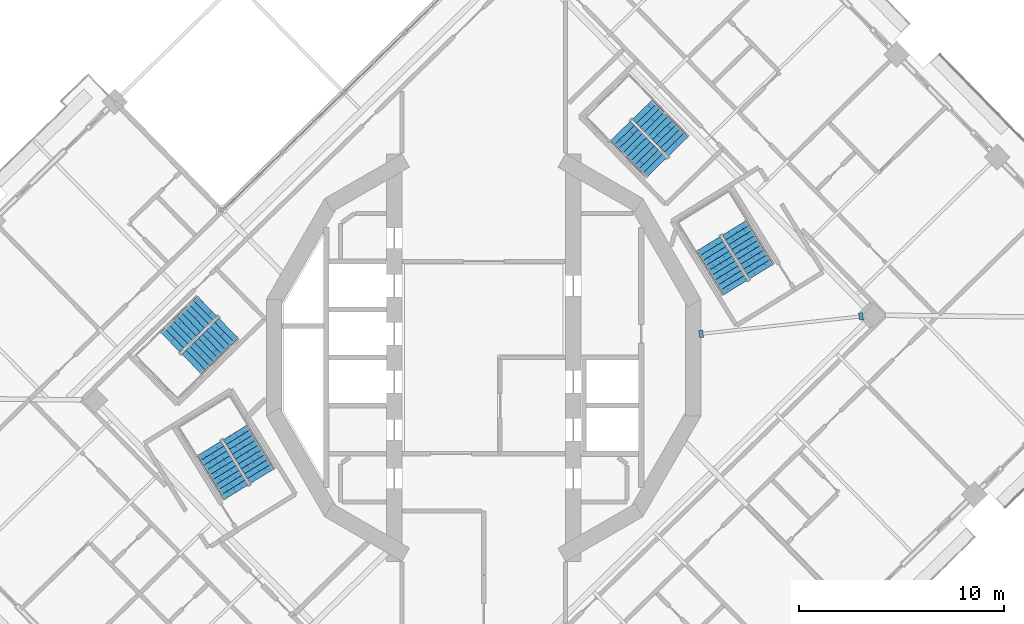
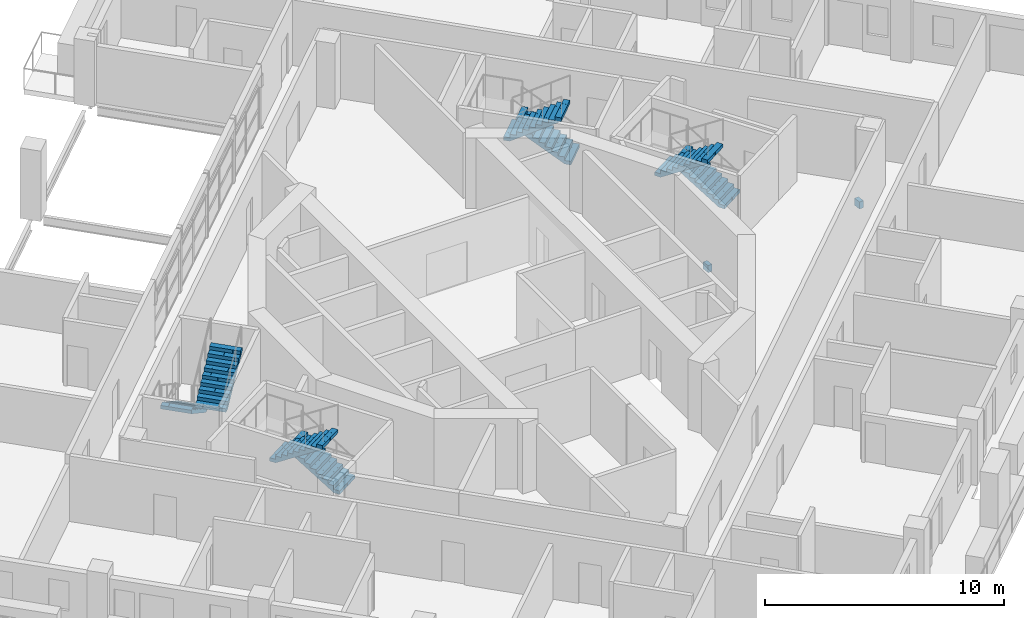
# One storey, part 12 of 19: 8 stair flights, 2 discrete accessories, 4 elements without a shape of their own.
"""IFC4 building model written with IfcOpenShell, lengths in metres."""

from ifc_helpers import new_model, si_unit, direction, frame, origin, place, context, subcontext, project, spatial, polyline, outline, extrude, material, layer, layer_set, type_object, element, aggregate, save


model = new_model("IFC4")

# Units and contexts
model_context = context("Model", 3, precision=1e-05, world=origin(), true_north=direction((0.0, 1.0)))
body_context = subcontext(model_context, "Body", "Model", "MODEL_VIEW")
ifc_project = project(units=[si_unit("LENGTHUNIT", "METRE"), si_unit("AREAUNIT", "SQUARE_METRE"), si_unit("VOLUMEUNIT", "CUBIC_METRE"), si_unit("PLANEANGLEUNIT", "RADIAN"), si_unit("MASSUNIT", "GRAM", prefix="KILO")], contexts=[model_context])

# Site, building, storey
site_placement = place(None, origin())
site = spatial("IfcSite", under=ifc_project, at=site_placement, CompositionType="ELEMENT")
building_placement = place(site_placement, origin())
building = spatial("IfcBuilding", under=site, at=building_placement, Name="Cantera Rosa Tower", CompositionType="ELEMENT")
storey_placement = place(building_placement, frame((0.0, 0.0, 223.39990234375)))
storey = spatial("IfcBuildingStorey", under=building, at=storey_placement, Name="L48", CompositionType="ELEMENT", Elevation=223.39990234375)

# Stair, stair flights
ifc_material_1 = material(Name="Concrete C35/45", Category="concrete")
stair_type = type_object("IfcStairType", Name="EXIT STAIR 1350 DOGLEG", PredefinedType="HALF_TURN_STAIR", material=ifc_material_1)
stair_1_placement = place(storey_placement, origin())
stair_1 = element("IfcStair", 1, at=stair_1_placement, inside=storey, type_object=stair_type, Name="L48 ST-41", PredefinedType="HALF_TURN_STAIR")
ifc_material_2 = material(Name="Concrete C35/45", Category="concrete")
stair_flight_type = type_object("IfcStairFlightType", Name="STAIR FLIGHT 1350 R20x180", PredefinedType="STRAIGHT", material=ifc_material_2)
stair_flight_1_placement = place(storey_placement, frame((13.5732421875, 4.2021484375, 0.0), z_axis=(0.0, 0.0, 1.0), x_axis=(-0.524976585286, 0.851116669383, 0.0)))
stair_flight_1 = element("IfcStairFlight", 2, at=stair_flight_1_placement, type_object=stair_flight_type, Name="ST-41 flight 1", NumberOfRisers=10, NumberOfTreads=9, PredefinedType="STRAIGHT", RiserHeight=0.18, TreadLength=0.28, context=body_context, shape_type="SweptSolid", body=[
    extrude(outline(polyline([(0.0, 0.0), (0.0, 0.179931640625), (0.280029296875, 0.179931640625), (0.280029296875, 0.360107421875), (0.56005859375, 0.360107421875), (0.56005859375, 0.5400390625), (0.840087890625, 0.5400390625), (0.840087890625, 0.719970703125), (1.1201171875, 0.719970703125), (1.1201171875, 0.89990234375), (1.39990234375, 0.89990234375), (1.39990234375, 1.080078125), (1.679931640625, 1.080078125), (1.679931640625, 1.260009765625), (1.9599609375, 1.260009765625), (1.9599609375, 1.43994140625), (2.239990234375, 1.43994140625), (2.239990234375, 1.6201171875), (2.52001953125, 1.6201171875), (2.52001953125, 1.800048828125), (2.52001953125, 1.44189453125), (0.277099609375, 0.0), (0.0, 0.0)])), frame((0.0, 0.675048828125, 0.0), z_axis=(0.0, -1.0, 0.0), x_axis=(1.0, 0.0, 0.0)), (0.0, 0.0, 1.0), 0.3359375),
    extrude(outline(polyline([(0.0, 0.0), (0.0, 0.179931640625), (0.280029296875, 0.179931640625), (0.280029296875, 0.360107421875), (0.56005859375, 0.360107421875), (0.56005859375, 0.5400390625), (0.840087890625, 0.5400390625), (0.840087890625, 0.719970703125), (1.1201171875, 0.719970703125), (1.1201171875, 0.89990234375), (1.39990234375, 0.89990234375), (1.39990234375, 1.080078125), (1.679931640625, 1.080078125), (1.679931640625, 1.260009765625), (1.9599609375, 1.260009765625), (1.9599609375, 1.43994140625), (2.239990234375, 1.43994140625), (2.239990234375, 1.6201171875), (2.52001953125, 1.6201171875), (2.52001953125, 1.800048828125), (2.52001953125, 1.44189453125), (0.277099609375, 0.0), (0.0, 0.0)])), frame((0.0, 0.337158203125, 0.0), z_axis=(0.0, -1.0, 0.0), x_axis=(1.0, 0.0, 0.0)), (0.0, 0.0, 1.0), 0.3359375),
    extrude(outline(polyline([(0.0, 0.0), (0.0, 0.179931640625), (0.280029296875, 0.179931640625), (0.280029296875, 0.360107421875), (0.56005859375, 0.360107421875), (0.56005859375, 0.5400390625), (0.840087890625, 0.5400390625), (0.840087890625, 0.719970703125), (1.1201171875, 0.719970703125), (1.1201171875, 0.89990234375), (1.39990234375, 0.89990234375), (1.39990234375, 1.080078125), (1.679931640625, 1.080078125), (1.679931640625, 1.260009765625), (1.9599609375, 1.260009765625), (1.9599609375, 1.43994140625), (2.239990234375, 1.43994140625), (2.239990234375, 1.6201171875), (2.52001953125, 1.6201171875), (2.52001953125, 1.800048828125), (2.52001953125, 1.44189453125), (0.277099609375, 0.0), (0.0, 0.0)])), frame((0.0, -0.000732421875, 0.0), z_axis=(0.0, -1.0, 0.0), x_axis=(1.0, 0.0, 0.0)), (0.0, 0.0, 1.0), 0.3359375),
    extrude(outline(polyline([(0.0, 0.0), (0.0, 0.179931640625), (0.280029296875, 0.179931640625), (0.280029296875, 0.360107421875), (0.56005859375, 0.360107421875), (0.56005859375, 0.5400390625), (0.840087890625, 0.5400390625), (0.840087890625, 0.719970703125), (1.1201171875, 0.719970703125), (1.1201171875, 0.89990234375), (1.39990234375, 0.89990234375), (1.39990234375, 1.080078125), (1.679931640625, 1.080078125), (1.679931640625, 1.260009765625), (1.9599609375, 1.260009765625), (1.9599609375, 1.43994140625), (2.239990234375, 1.43994140625), (2.239990234375, 1.6201171875), (2.52001953125, 1.6201171875), (2.52001953125, 1.800048828125), (2.52001953125, 1.44189453125), (0.277099609375, 0.0), (0.0, 0.0)])), frame((0.0, -0.338623046875, 0.0), z_axis=(0.0, -1.0, 0.0), x_axis=(1.0, 0.0, 0.0)), (0.0, 0.0, 1.0), 0.3359375),
])
stair_flight_2_placement = place(storey_placement, frame((10.9736328125, 5.5595703125, 1.800048828125), z_axis=(0.0, 0.0, 1.0), x_axis=(0.524976585286, -0.851116669383, 0.0)))
stair_flight_2 = element("IfcStairFlight", 3, at=stair_flight_2_placement, type_object=stair_flight_type, Name="ST-41 flight 2", NumberOfRisers=10, NumberOfTreads=9, PredefinedType="STRAIGHT", RiserHeight=0.18, TreadLength=0.28, context=body_context, shape_type="SweptSolid", body=[
    extrude(outline(polyline([(0.0, 0.0), (0.0, 0.179931640625), (0.280029296875, 0.179931640625), (0.280029296875, 0.360107421875), (0.56005859375, 0.360107421875), (0.56005859375, 0.5400390625), (0.840087890625, 0.5400390625), (0.840087890625, 0.719970703125), (1.1201171875, 0.719970703125), (1.1201171875, 0.89990234375), (1.39990234375, 0.89990234375), (1.39990234375, 1.080078125), (1.679931640625, 1.080078125), (1.679931640625, 1.260009765625), (1.9599609375, 1.260009765625), (1.9599609375, 1.43994140625), (2.239990234375, 1.43994140625), (2.239990234375, 1.6201171875), (2.52001953125, 1.6201171875), (2.52001953125, 1.800048828125), (2.52001953125, 1.44189453125), (0.277099609375, 0.0), (0.0, 0.0)])), frame((0.0, 0.675048828125, 0.0), z_axis=(0.0, -1.0, 0.0), x_axis=(1.0, 0.0, 0.0)), (0.0, 0.0, 1.0), 0.3359375),
    extrude(outline(polyline([(0.0, 0.0), (0.0, 0.179931640625), (0.280029296875, 0.179931640625), (0.280029296875, 0.360107421875), (0.56005859375, 0.360107421875), (0.56005859375, 0.5400390625), (0.840087890625, 0.5400390625), (0.840087890625, 0.719970703125), (1.1201171875, 0.719970703125), (1.1201171875, 0.89990234375), (1.39990234375, 0.89990234375), (1.39990234375, 1.080078125), (1.679931640625, 1.080078125), (1.679931640625, 1.260009765625), (1.9599609375, 1.260009765625), (1.9599609375, 1.43994140625), (2.239990234375, 1.43994140625), (2.239990234375, 1.6201171875), (2.52001953125, 1.6201171875), (2.52001953125, 1.800048828125), (2.52001953125, 1.44189453125), (0.277099609375, 0.0), (0.0, 0.0)])), frame((0.0, 0.337158203125, 0.0), z_axis=(0.0, -1.0, 0.0), x_axis=(1.0, 0.0, 0.0)), (0.0, 0.0, 1.0), 0.3359375),
    extrude(outline(polyline([(0.0, 0.0), (0.0, 0.179931640625), (0.280029296875, 0.179931640625), (0.280029296875, 0.360107421875), (0.56005859375, 0.360107421875), (0.56005859375, 0.5400390625), (0.840087890625, 0.5400390625), (0.840087890625, 0.719970703125), (1.1201171875, 0.719970703125), (1.1201171875, 0.89990234375), (1.39990234375, 0.89990234375), (1.39990234375, 1.080078125), (1.679931640625, 1.080078125), (1.679931640625, 1.260009765625), (1.9599609375, 1.260009765625), (1.9599609375, 1.43994140625), (2.239990234375, 1.43994140625), (2.239990234375, 1.6201171875), (2.52001953125, 1.6201171875), (2.52001953125, 1.800048828125), (2.52001953125, 1.44189453125), (0.277099609375, 0.0), (0.0, 0.0)])), frame((0.0, -0.000732421875, 0.0), z_axis=(0.0, -1.0, 0.0), x_axis=(1.0, 0.0, 0.0)), (0.0, 0.0, 1.0), 0.3359375),
    extrude(outline(polyline([(0.0, 0.0), (0.0, 0.179931640625), (0.280029296875, 0.179931640625), (0.280029296875, 0.360107421875), (0.56005859375, 0.360107421875), (0.56005859375, 0.5400390625), (0.840087890625, 0.5400390625), (0.840087890625, 0.719970703125), (1.1201171875, 0.719970703125), (1.1201171875, 0.89990234375), (1.39990234375, 0.89990234375), (1.39990234375, 1.080078125), (1.679931640625, 1.080078125), (1.679931640625, 1.260009765625), (1.9599609375, 1.260009765625), (1.9599609375, 1.43994140625), (2.239990234375, 1.43994140625), (2.239990234375, 1.6201171875), (2.52001953125, 1.6201171875), (2.52001953125, 1.800048828125), (2.52001953125, 1.44189453125), (0.277099609375, 0.0), (0.0, 0.0)])), frame((0.0, -0.338623046875, 0.0), z_axis=(0.0, -1.0, 0.0), x_axis=(1.0, 0.0, 0.0)), (0.0, 0.0, 1.0), 0.3359375),
])
aggregate(stair_1, [stair_flight_1, stair_flight_2])

stair_2_placement = place(storey_placement, origin())
stair_2 = element("IfcStair", 4, at=stair_2_placement, inside=storey, type_object=stair_type, Name="L48 ST-42", PredefinedType="HALF_TURN_STAIR")
stair_flight_3_placement = place(storey_placement, frame((9.514892578125, 10.32275390625, 0.0), z_axis=(0.0, 0.0, 1.0), x_axis=(-0.698831536207, 0.715286295132, 0.0)))
stair_flight_3 = element("IfcStairFlight", 5, at=stair_flight_3_placement, type_object=stair_flight_type, Name="ST-42 flight 1", NumberOfRisers=10, NumberOfTreads=9, PredefinedType="STRAIGHT", RiserHeight=0.18, TreadLength=0.28, context=body_context, shape_type="SweptSolid", body=[
    extrude(outline(polyline([(0.0, 0.0), (0.0, 0.179931640625), (0.280029296875, 0.179931640625), (0.280029296875, 0.360107421875), (0.56005859375, 0.360107421875), (0.56005859375, 0.5400390625), (0.840087890625, 0.5400390625), (0.840087890625, 0.719970703125), (1.1201171875, 0.719970703125), (1.1201171875, 0.89990234375), (1.39990234375, 0.89990234375), (1.39990234375, 1.080078125), (1.679931640625, 1.080078125), (1.679931640625, 1.260009765625), (1.9599609375, 1.260009765625), (1.9599609375, 1.43994140625), (2.239990234375, 1.43994140625), (2.239990234375, 1.6201171875), (2.52001953125, 1.6201171875), (2.52001953125, 1.800048828125), (2.52001953125, 1.44189453125), (0.277099609375, 0.0), (0.0, 0.0)])), frame((0.0, 0.675048828125, 0.0), z_axis=(0.0, -1.0, 0.0), x_axis=(1.0, 0.0, 0.0)), (0.0, 0.0, 1.0), 0.3359375),
    extrude(outline(polyline([(0.0, 0.0), (0.0, 0.179931640625), (0.280029296875, 0.179931640625), (0.280029296875, 0.360107421875), (0.56005859375, 0.360107421875), (0.56005859375, 0.5400390625), (0.840087890625, 0.5400390625), (0.840087890625, 0.719970703125), (1.1201171875, 0.719970703125), (1.1201171875, 0.89990234375), (1.39990234375, 0.89990234375), (1.39990234375, 1.080078125), (1.679931640625, 1.080078125), (1.679931640625, 1.260009765625), (1.9599609375, 1.260009765625), (1.9599609375, 1.43994140625), (2.239990234375, 1.43994140625), (2.239990234375, 1.6201171875), (2.52001953125, 1.6201171875), (2.52001953125, 1.800048828125), (2.52001953125, 1.44189453125), (0.277099609375, 0.0), (0.0, 0.0)])), frame((0.0, 0.337158203125, 0.0), z_axis=(0.0, -1.0, 0.0), x_axis=(1.0, 0.0, 0.0)), (0.0, 0.0, 1.0), 0.3359375),
    extrude(outline(polyline([(0.0, 0.0), (0.0, 0.179931640625), (0.280029296875, 0.179931640625), (0.280029296875, 0.360107421875), (0.56005859375, 0.360107421875), (0.56005859375, 0.5400390625), (0.840087890625, 0.5400390625), (0.840087890625, 0.719970703125), (1.1201171875, 0.719970703125), (1.1201171875, 0.89990234375), (1.39990234375, 0.89990234375), (1.39990234375, 1.080078125), (1.679931640625, 1.080078125), (1.679931640625, 1.260009765625), (1.9599609375, 1.260009765625), (1.9599609375, 1.43994140625), (2.239990234375, 1.43994140625), (2.239990234375, 1.6201171875), (2.52001953125, 1.6201171875), (2.52001953125, 1.800048828125), (2.52001953125, 1.44189453125), (0.277099609375, 0.0), (0.0, 0.0)])), frame((0.0, -0.000732421875, 0.0), z_axis=(0.0, -1.0, 0.0), x_axis=(1.0, 0.0, 0.0)), (0.0, 0.0, 1.0), 0.3359375),
    extrude(outline(polyline([(0.0, 0.0), (0.0, 0.179931640625), (0.280029296875, 0.179931640625), (0.280029296875, 0.360107421875), (0.56005859375, 0.360107421875), (0.56005859375, 0.5400390625), (0.840087890625, 0.5400390625), (0.840087890625, 0.719970703125), (1.1201171875, 0.719970703125), (1.1201171875, 0.89990234375), (1.39990234375, 0.89990234375), (1.39990234375, 1.080078125), (1.679931640625, 1.080078125), (1.679931640625, 1.260009765625), (1.9599609375, 1.260009765625), (1.9599609375, 1.43994140625), (2.239990234375, 1.43994140625), (2.239990234375, 1.6201171875), (2.52001953125, 1.6201171875), (2.52001953125, 1.800048828125), (2.52001953125, 1.44189453125), (0.277099609375, 0.0), (0.0, 0.0)])), frame((0.0, -0.338623046875, 0.0), z_axis=(0.0, -1.0, 0.0), x_axis=(1.0, 0.0, 0.0)), (0.0, 0.0, 1.0), 0.3359375),
])
stair_flight_4_placement = place(storey_placement, frame((6.680908203125, 11.076904296875, 1.800048828125), z_axis=(0.0, 0.0, 1.0), x_axis=(0.698831536207, -0.715286295132, 0.0)))
stair_flight_4 = element("IfcStairFlight", 6, at=stair_flight_4_placement, type_object=stair_flight_type, Name="ST-42 flight 2", NumberOfRisers=10, NumberOfTreads=9, PredefinedType="STRAIGHT", RiserHeight=0.18, TreadLength=0.28, context=body_context, shape_type="SweptSolid", body=[
    extrude(outline(polyline([(0.0, 0.0), (0.0, 0.179931640625), (0.280029296875, 0.179931640625), (0.280029296875, 0.360107421875), (0.56005859375, 0.360107421875), (0.56005859375, 0.5400390625), (0.840087890625, 0.5400390625), (0.840087890625, 0.719970703125), (1.1201171875, 0.719970703125), (1.1201171875, 0.89990234375), (1.39990234375, 0.89990234375), (1.39990234375, 1.080078125), (1.679931640625, 1.080078125), (1.679931640625, 1.260009765625), (1.9599609375, 1.260009765625), (1.9599609375, 1.43994140625), (2.239990234375, 1.43994140625), (2.239990234375, 1.6201171875), (2.52001953125, 1.6201171875), (2.52001953125, 1.800048828125), (2.52001953125, 1.44189453125), (0.277099609375, 0.0), (0.0, 0.0)])), frame((0.0, 0.675048828125, 0.0), z_axis=(0.0, -1.0, 0.0), x_axis=(1.0, 0.0, 0.0)), (0.0, 0.0, 1.0), 0.3359375),
    extrude(outline(polyline([(0.0, 0.0), (0.0, 0.179931640625), (0.280029296875, 0.179931640625), (0.280029296875, 0.360107421875), (0.56005859375, 0.360107421875), (0.56005859375, 0.5400390625), (0.840087890625, 0.5400390625), (0.840087890625, 0.719970703125), (1.1201171875, 0.719970703125), (1.1201171875, 0.89990234375), (1.39990234375, 0.89990234375), (1.39990234375, 1.080078125), (1.679931640625, 1.080078125), (1.679931640625, 1.260009765625), (1.9599609375, 1.260009765625), (1.9599609375, 1.43994140625), (2.239990234375, 1.43994140625), (2.239990234375, 1.6201171875), (2.52001953125, 1.6201171875), (2.52001953125, 1.800048828125), (2.52001953125, 1.44189453125), (0.277099609375, 0.0), (0.0, 0.0)])), frame((0.0, 0.337158203125, 0.0), z_axis=(0.0, -1.0, 0.0), x_axis=(1.0, 0.0, 0.0)), (0.0, 0.0, 1.0), 0.3359375),
    extrude(outline(polyline([(0.0, 0.0), (0.0, 0.179931640625), (0.280029296875, 0.179931640625), (0.280029296875, 0.360107421875), (0.56005859375, 0.360107421875), (0.56005859375, 0.5400390625), (0.840087890625, 0.5400390625), (0.840087890625, 0.719970703125), (1.1201171875, 0.719970703125), (1.1201171875, 0.89990234375), (1.39990234375, 0.89990234375), (1.39990234375, 1.080078125), (1.679931640625, 1.080078125), (1.679931640625, 1.260009765625), (1.9599609375, 1.260009765625), (1.9599609375, 1.43994140625), (2.239990234375, 1.43994140625), (2.239990234375, 1.6201171875), (2.52001953125, 1.6201171875), (2.52001953125, 1.800048828125), (2.52001953125, 1.44189453125), (0.277099609375, 0.0), (0.0, 0.0)])), frame((0.0, -0.000732421875, 0.0), z_axis=(0.0, -1.0, 0.0), x_axis=(1.0, 0.0, 0.0)), (0.0, 0.0, 1.0), 0.3359375),
    extrude(outline(polyline([(0.0, 0.0), (0.0, 0.179931640625), (0.280029296875, 0.179931640625), (0.280029296875, 0.360107421875), (0.56005859375, 0.360107421875), (0.56005859375, 0.5400390625), (0.840087890625, 0.5400390625), (0.840087890625, 0.719970703125), (1.1201171875, 0.719970703125), (1.1201171875, 0.89990234375), (1.39990234375, 0.89990234375), (1.39990234375, 1.080078125), (1.679931640625, 1.080078125), (1.679931640625, 1.260009765625), (1.9599609375, 1.260009765625), (1.9599609375, 1.43994140625), (2.239990234375, 1.43994140625), (2.239990234375, 1.6201171875), (2.52001953125, 1.6201171875), (2.52001953125, 1.800048828125), (2.52001953125, 1.44189453125), (0.277099609375, 0.0), (0.0, 0.0)])), frame((0.0, -0.338623046875, 0.0), z_axis=(0.0, -1.0, 0.0), x_axis=(1.0, 0.0, 0.0)), (0.0, 0.0, 1.0), 0.3359375),
])
aggregate(stair_2, [stair_flight_3, stair_flight_4])

stair_3_placement = place(storey_placement, origin())
stair_3 = element("IfcStair", 7, at=stair_3_placement, inside=storey, type_object=stair_type, Name="L48 ST-43", PredefinedType="HALF_TURN_STAIR")
stair_flight_5_placement = place(storey_placement, frame((-13.522705078125, 2.514892578125, 0.0), z_axis=(0.0, 0.0, 1.0), x_axis=(-0.715286295132, -0.698831536207, 0.0)))
stair_flight_5 = element("IfcStairFlight", 8, at=stair_flight_5_placement, type_object=stair_flight_type, Name="ST-43 flight 1", NumberOfRisers=10, NumberOfTreads=9, PredefinedType="STRAIGHT", RiserHeight=0.18, TreadLength=0.28, context=body_context, shape_type="SweptSolid", body=[
    extrude(outline(polyline([(0.0, 0.0), (0.0, 0.179931640625), (0.280029296875, 0.179931640625), (0.280029296875, 0.360107421875), (0.56005859375, 0.360107421875), (0.56005859375, 0.5400390625), (0.840087890625, 0.5400390625), (0.840087890625, 0.719970703125), (1.1201171875, 0.719970703125), (1.1201171875, 0.89990234375), (1.39990234375, 0.89990234375), (1.39990234375, 1.080078125), (1.679931640625, 1.080078125), (1.679931640625, 1.260009765625), (1.9599609375, 1.260009765625), (1.9599609375, 1.43994140625), (2.239990234375, 1.43994140625), (2.239990234375, 1.6201171875), (2.52001953125, 1.6201171875), (2.52001953125, 1.800048828125), (2.52001953125, 1.44189453125), (0.277099609375, 0.0), (0.0, 0.0)])), frame((0.0, 0.675048828125, 0.0), z_axis=(0.0, -1.0, 0.0), x_axis=(1.0, 0.0, 0.0)), (0.0, 0.0, 1.0), 0.3359375),
    extrude(outline(polyline([(0.0, 0.0), (0.0, 0.179931640625), (0.280029296875, 0.179931640625), (0.280029296875, 0.360107421875), (0.56005859375, 0.360107421875), (0.56005859375, 0.5400390625), (0.840087890625, 0.5400390625), (0.840087890625, 0.719970703125), (1.1201171875, 0.719970703125), (1.1201171875, 0.89990234375), (1.39990234375, 0.89990234375), (1.39990234375, 1.080078125), (1.679931640625, 1.080078125), (1.679931640625, 1.260009765625), (1.9599609375, 1.260009765625), (1.9599609375, 1.43994140625), (2.239990234375, 1.43994140625), (2.239990234375, 1.6201171875), (2.52001953125, 1.6201171875), (2.52001953125, 1.800048828125), (2.52001953125, 1.44189453125), (0.277099609375, 0.0), (0.0, 0.0)])), frame((0.0, 0.337158203125, 0.0), z_axis=(0.0, -1.0, 0.0), x_axis=(1.0, 0.0, 0.0)), (0.0, 0.0, 1.0), 0.3359375),
    extrude(outline(polyline([(0.0, 0.0), (0.0, 0.179931640625), (0.280029296875, 0.179931640625), (0.280029296875, 0.360107421875), (0.56005859375, 0.360107421875), (0.56005859375, 0.5400390625), (0.840087890625, 0.5400390625), (0.840087890625, 0.719970703125), (1.1201171875, 0.719970703125), (1.1201171875, 0.89990234375), (1.39990234375, 0.89990234375), (1.39990234375, 1.080078125), (1.679931640625, 1.080078125), (1.679931640625, 1.260009765625), (1.9599609375, 1.260009765625), (1.9599609375, 1.43994140625), (2.239990234375, 1.43994140625), (2.239990234375, 1.6201171875), (2.52001953125, 1.6201171875), (2.52001953125, 1.800048828125), (2.52001953125, 1.44189453125), (0.277099609375, 0.0), (0.0, 0.0)])), frame((0.0, -0.000732421875, 0.0), z_axis=(0.0, -1.0, 0.0), x_axis=(1.0, 0.0, 0.0)), (0.0, 0.0, 1.0), 0.3359375),
    extrude(outline(polyline([(0.0, 0.0), (0.0, 0.179931640625), (0.280029296875, 0.179931640625), (0.280029296875, 0.360107421875), (0.56005859375, 0.360107421875), (0.56005859375, 0.5400390625), (0.840087890625, 0.5400390625), (0.840087890625, 0.719970703125), (1.1201171875, 0.719970703125), (1.1201171875, 0.89990234375), (1.39990234375, 0.89990234375), (1.39990234375, 1.080078125), (1.679931640625, 1.080078125), (1.679931640625, 1.260009765625), (1.9599609375, 1.260009765625), (1.9599609375, 1.43994140625), (2.239990234375, 1.43994140625), (2.239990234375, 1.6201171875), (2.52001953125, 1.6201171875), (2.52001953125, 1.800048828125), (2.52001953125, 1.44189453125), (0.277099609375, 0.0), (0.0, 0.0)])), frame((0.0, -0.338623046875, 0.0), z_axis=(0.0, -1.0, 0.0), x_axis=(1.0, 0.0, 0.0)), (0.0, 0.0, 1.0), 0.3359375),
])
stair_flight_6_placement = place(storey_placement, frame((-14.277099609375, -0.319091796875, 1.800048828125), z_axis=(0.0, 0.0, 1.0), x_axis=(0.715286295132, 0.698831536207, 0.0)))
stair_flight_6 = element("IfcStairFlight", 9, at=stair_flight_6_placement, type_object=stair_flight_type, Name="ST-43 flight 2", NumberOfRisers=10, NumberOfTreads=9, PredefinedType="STRAIGHT", RiserHeight=0.18, TreadLength=0.28, context=body_context, shape_type="SweptSolid", body=[
    extrude(outline(polyline([(0.0, 0.0), (0.0, 0.179931640625), (0.280029296875, 0.179931640625), (0.280029296875, 0.360107421875), (0.56005859375, 0.360107421875), (0.56005859375, 0.5400390625), (0.840087890625, 0.5400390625), (0.840087890625, 0.719970703125), (1.1201171875, 0.719970703125), (1.1201171875, 0.89990234375), (1.39990234375, 0.89990234375), (1.39990234375, 1.080078125), (1.679931640625, 1.080078125), (1.679931640625, 1.260009765625), (1.9599609375, 1.260009765625), (1.9599609375, 1.43994140625), (2.239990234375, 1.43994140625), (2.239990234375, 1.6201171875), (2.52001953125, 1.6201171875), (2.52001953125, 1.800048828125), (2.52001953125, 1.44189453125), (0.277099609375, 0.0), (0.0, 0.0)])), frame((0.0, 0.675048828125, 0.0), z_axis=(0.0, -1.0, 0.0), x_axis=(1.0, 0.0, 0.0)), (0.0, 0.0, 1.0), 0.3359375),
    extrude(outline(polyline([(0.0, 0.0), (0.0, 0.179931640625), (0.280029296875, 0.179931640625), (0.280029296875, 0.360107421875), (0.56005859375, 0.360107421875), (0.56005859375, 0.5400390625), (0.840087890625, 0.5400390625), (0.840087890625, 0.719970703125), (1.1201171875, 0.719970703125), (1.1201171875, 0.89990234375), (1.39990234375, 0.89990234375), (1.39990234375, 1.080078125), (1.679931640625, 1.080078125), (1.679931640625, 1.260009765625), (1.9599609375, 1.260009765625), (1.9599609375, 1.43994140625), (2.239990234375, 1.43994140625), (2.239990234375, 1.6201171875), (2.52001953125, 1.6201171875), (2.52001953125, 1.800048828125), (2.52001953125, 1.44189453125), (0.277099609375, 0.0), (0.0, 0.0)])), frame((0.0, 0.337158203125, 0.0), z_axis=(0.0, -1.0, 0.0), x_axis=(1.0, 0.0, 0.0)), (0.0, 0.0, 1.0), 0.3359375),
    extrude(outline(polyline([(0.0, 0.0), (0.0, 0.179931640625), (0.280029296875, 0.179931640625), (0.280029296875, 0.360107421875), (0.56005859375, 0.360107421875), (0.56005859375, 0.5400390625), (0.840087890625, 0.5400390625), (0.840087890625, 0.719970703125), (1.1201171875, 0.719970703125), (1.1201171875, 0.89990234375), (1.39990234375, 0.89990234375), (1.39990234375, 1.080078125), (1.679931640625, 1.080078125), (1.679931640625, 1.260009765625), (1.9599609375, 1.260009765625), (1.9599609375, 1.43994140625), (2.239990234375, 1.43994140625), (2.239990234375, 1.6201171875), (2.52001953125, 1.6201171875), (2.52001953125, 1.800048828125), (2.52001953125, 1.44189453125), (0.277099609375, 0.0), (0.0, 0.0)])), frame((0.0, -0.000732421875, 0.0), z_axis=(0.0, -1.0, 0.0), x_axis=(1.0, 0.0, 0.0)), (0.0, 0.0, 1.0), 0.3359375),
    extrude(outline(polyline([(0.0, 0.0), (0.0, 0.179931640625), (0.280029296875, 0.179931640625), (0.280029296875, 0.360107421875), (0.56005859375, 0.360107421875), (0.56005859375, 0.5400390625), (0.840087890625, 0.5400390625), (0.840087890625, 0.719970703125), (1.1201171875, 0.719970703125), (1.1201171875, 0.89990234375), (1.39990234375, 0.89990234375), (1.39990234375, 1.080078125), (1.679931640625, 1.080078125), (1.679931640625, 1.260009765625), (1.9599609375, 1.260009765625), (1.9599609375, 1.43994140625), (2.239990234375, 1.43994140625), (2.239990234375, 1.6201171875), (2.52001953125, 1.6201171875), (2.52001953125, 1.800048828125), (2.52001953125, 1.44189453125), (0.277099609375, 0.0), (0.0, 0.0)])), frame((0.0, -0.338623046875, 0.0), z_axis=(0.0, -1.0, 0.0), x_axis=(1.0, 0.0, 0.0)), (0.0, 0.0, 1.0), 0.3359375),
])
aggregate(stair_3, [stair_flight_5, stair_flight_6])

stair_4_placement = place(storey_placement, origin())
stair_4 = element("IfcStair", 10, at=stair_4_placement, inside=storey, type_object=stair_type, Name="L48 ST-44", PredefinedType="HALF_TURN_STAIR")
stair_flight_7_placement = place(storey_placement, frame((-10.82666015625, -5.7978515625, 0.0), z_axis=(0.0, 0.0, 1.0), x_axis=(-0.524976585286, 0.851116669383, 0.0)))
stair_flight_7 = element("IfcStairFlight", 11, at=stair_flight_7_placement, type_object=stair_flight_type, Name="ST-44 flight 1", NumberOfRisers=10, NumberOfTreads=9, PredefinedType="STRAIGHT", RiserHeight=0.18, TreadLength=0.28, context=body_context, shape_type="SweptSolid", body=[
    extrude(outline(polyline([(0.0, 0.0), (0.0, 0.179931640625), (0.280029296875, 0.179931640625), (0.280029296875, 0.360107421875), (0.56005859375, 0.360107421875), (0.56005859375, 0.5400390625), (0.840087890625, 0.5400390625), (0.840087890625, 0.719970703125), (1.1201171875, 0.719970703125), (1.1201171875, 0.89990234375), (1.39990234375, 0.89990234375), (1.39990234375, 1.080078125), (1.679931640625, 1.080078125), (1.679931640625, 1.260009765625), (1.9599609375, 1.260009765625), (1.9599609375, 1.43994140625), (2.239990234375, 1.43994140625), (2.239990234375, 1.6201171875), (2.52001953125, 1.6201171875), (2.52001953125, 1.800048828125), (2.52001953125, 1.44189453125), (0.277099609375, 0.0), (0.0, 0.0)])), frame((0.0, 0.675048828125, 0.0), z_axis=(0.0, -1.0, 0.0), x_axis=(1.0, 0.0, 0.0)), (0.0, 0.0, 1.0), 0.3359375),
    extrude(outline(polyline([(0.0, 0.0), (0.0, 0.179931640625), (0.280029296875, 0.179931640625), (0.280029296875, 0.360107421875), (0.56005859375, 0.360107421875), (0.56005859375, 0.5400390625), (0.840087890625, 0.5400390625), (0.840087890625, 0.719970703125), (1.1201171875, 0.719970703125), (1.1201171875, 0.89990234375), (1.39990234375, 0.89990234375), (1.39990234375, 1.080078125), (1.679931640625, 1.080078125), (1.679931640625, 1.260009765625), (1.9599609375, 1.260009765625), (1.9599609375, 1.43994140625), (2.239990234375, 1.43994140625), (2.239990234375, 1.6201171875), (2.52001953125, 1.6201171875), (2.52001953125, 1.800048828125), (2.52001953125, 1.44189453125), (0.277099609375, 0.0), (0.0, 0.0)])), frame((0.0, 0.337158203125, 0.0), z_axis=(0.0, -1.0, 0.0), x_axis=(1.0, 0.0, 0.0)), (0.0, 0.0, 1.0), 0.3359375),
    extrude(outline(polyline([(0.0, 0.0), (0.0, 0.179931640625), (0.280029296875, 0.179931640625), (0.280029296875, 0.360107421875), (0.56005859375, 0.360107421875), (0.56005859375, 0.5400390625), (0.840087890625, 0.5400390625), (0.840087890625, 0.719970703125), (1.1201171875, 0.719970703125), (1.1201171875, 0.89990234375), (1.39990234375, 0.89990234375), (1.39990234375, 1.080078125), (1.679931640625, 1.080078125), (1.679931640625, 1.260009765625), (1.9599609375, 1.260009765625), (1.9599609375, 1.43994140625), (2.239990234375, 1.43994140625), (2.239990234375, 1.6201171875), (2.52001953125, 1.6201171875), (2.52001953125, 1.800048828125), (2.52001953125, 1.44189453125), (0.277099609375, 0.0), (0.0, 0.0)])), frame((0.0, -0.000732421875, 0.0), z_axis=(0.0, -1.0, 0.0), x_axis=(1.0, 0.0, 0.0)), (0.0, 0.0, 1.0), 0.3359375),
    extrude(outline(polyline([(0.0, 0.0), (0.0, 0.179931640625), (0.280029296875, 0.179931640625), (0.280029296875, 0.360107421875), (0.56005859375, 0.360107421875), (0.56005859375, 0.5400390625), (0.840087890625, 0.5400390625), (0.840087890625, 0.719970703125), (1.1201171875, 0.719970703125), (1.1201171875, 0.89990234375), (1.39990234375, 0.89990234375), (1.39990234375, 1.080078125), (1.679931640625, 1.080078125), (1.679931640625, 1.260009765625), (1.9599609375, 1.260009765625), (1.9599609375, 1.43994140625), (2.239990234375, 1.43994140625), (2.239990234375, 1.6201171875), (2.52001953125, 1.6201171875), (2.52001953125, 1.800048828125), (2.52001953125, 1.44189453125), (0.277099609375, 0.0), (0.0, 0.0)])), frame((0.0, -0.338623046875, 0.0), z_axis=(0.0, -1.0, 0.0), x_axis=(1.0, 0.0, 0.0)), (0.0, 0.0, 1.0), 0.3359375),
])
stair_flight_8_placement = place(storey_placement, frame((-13.42626953125, -4.4404296875, 1.800048828125), z_axis=(0.0, 0.0, 1.0), x_axis=(0.524976585286, -0.851116669383, 0.0)))
stair_flight_8 = element("IfcStairFlight", 12, at=stair_flight_8_placement, type_object=stair_flight_type, Name="ST-44 flight 2", NumberOfRisers=10, NumberOfTreads=9, PredefinedType="STRAIGHT", RiserHeight=0.18, TreadLength=0.28, context=body_context, shape_type="SweptSolid", body=[
    extrude(outline(polyline([(0.0, 0.0), (0.0, 0.179931640625), (0.280029296875, 0.179931640625), (0.280029296875, 0.360107421875), (0.56005859375, 0.360107421875), (0.56005859375, 0.5400390625), (0.840087890625, 0.5400390625), (0.840087890625, 0.719970703125), (1.1201171875, 0.719970703125), (1.1201171875, 0.89990234375), (1.39990234375, 0.89990234375), (1.39990234375, 1.080078125), (1.679931640625, 1.080078125), (1.679931640625, 1.260009765625), (1.9599609375, 1.260009765625), (1.9599609375, 1.43994140625), (2.239990234375, 1.43994140625), (2.239990234375, 1.6201171875), (2.52001953125, 1.6201171875), (2.52001953125, 1.800048828125), (2.52001953125, 1.44189453125), (0.277099609375, 0.0), (0.0, 0.0)])), frame((0.0, 0.675048828125, 0.0), z_axis=(0.0, -1.0, 0.0), x_axis=(1.0, 0.0, 0.0)), (0.0, 0.0, 1.0), 0.3359375),
    extrude(outline(polyline([(0.0, 0.0), (0.0, 0.179931640625), (0.280029296875, 0.179931640625), (0.280029296875, 0.360107421875), (0.56005859375, 0.360107421875), (0.56005859375, 0.5400390625), (0.840087890625, 0.5400390625), (0.840087890625, 0.719970703125), (1.1201171875, 0.719970703125), (1.1201171875, 0.89990234375), (1.39990234375, 0.89990234375), (1.39990234375, 1.080078125), (1.679931640625, 1.080078125), (1.679931640625, 1.260009765625), (1.9599609375, 1.260009765625), (1.9599609375, 1.43994140625), (2.239990234375, 1.43994140625), (2.239990234375, 1.6201171875), (2.52001953125, 1.6201171875), (2.52001953125, 1.800048828125), (2.52001953125, 1.44189453125), (0.277099609375, 0.0), (0.0, 0.0)])), frame((0.0, 0.337158203125, 0.0), z_axis=(0.0, -1.0, 0.0), x_axis=(1.0, 0.0, 0.0)), (0.0, 0.0, 1.0), 0.3359375),
    extrude(outline(polyline([(0.0, 0.0), (0.0, 0.179931640625), (0.280029296875, 0.179931640625), (0.280029296875, 0.360107421875), (0.56005859375, 0.360107421875), (0.56005859375, 0.5400390625), (0.840087890625, 0.5400390625), (0.840087890625, 0.719970703125), (1.1201171875, 0.719970703125), (1.1201171875, 0.89990234375), (1.39990234375, 0.89990234375), (1.39990234375, 1.080078125), (1.679931640625, 1.080078125), (1.679931640625, 1.260009765625), (1.9599609375, 1.260009765625), (1.9599609375, 1.43994140625), (2.239990234375, 1.43994140625), (2.239990234375, 1.6201171875), (2.52001953125, 1.6201171875), (2.52001953125, 1.800048828125), (2.52001953125, 1.44189453125), (0.277099609375, 0.0), (0.0, 0.0)])), frame((0.0, -0.000732421875, 0.0), z_axis=(0.0, -1.0, 0.0), x_axis=(1.0, 0.0, 0.0)), (0.0, 0.0, 1.0), 0.3359375),
    extrude(outline(polyline([(0.0, 0.0), (0.0, 0.179931640625), (0.280029296875, 0.179931640625), (0.280029296875, 0.360107421875), (0.56005859375, 0.360107421875), (0.56005859375, 0.5400390625), (0.840087890625, 0.5400390625), (0.840087890625, 0.719970703125), (1.1201171875, 0.719970703125), (1.1201171875, 0.89990234375), (1.39990234375, 0.89990234375), (1.39990234375, 1.080078125), (1.679931640625, 1.080078125), (1.679931640625, 1.260009765625), (1.9599609375, 1.260009765625), (1.9599609375, 1.43994140625), (2.239990234375, 1.43994140625), (2.239990234375, 1.6201171875), (2.52001953125, 1.6201171875), (2.52001953125, 1.800048828125), (2.52001953125, 1.44189453125), (0.277099609375, 0.0), (0.0, 0.0)])), frame((0.0, -0.338623046875, 0.0), z_axis=(0.0, -1.0, 0.0), x_axis=(1.0, 0.0, 0.0)), (0.0, 0.0, 1.0), 0.3359375),
])
aggregate(stair_4, [stair_flight_7, stair_flight_8])

# Discrete accessories
ifc_material_3 = material(Name="Steel ASTM A992 (Fy 345 MPa)", Category="steel")
ifc_layer = layer(ifc_material_3, 0.0400390625)
ifc_layer_set = layer_set([ifc_layer], Name="STEEL BEARING PLATE 40")
discrete_accessory_type = type_object("IfcDiscreteAccessoryType", Name="STEEL BEARING PLATE 40", PredefinedType="ANCHORPLATE", material=ifc_layer_set)
discrete_accessory_1_placement = place(storey_placement, frame((0.0, 0.0, -0.659912109375)))
element("IfcDiscreteAccessory", 13, at=discrete_accessory_1_placement, inside=storey, type_object=discrete_accessory_type, Name="BEARING PLATE PG-Z4-01 end 1 L48", PredefinedType="ANCHORPLATE", context=body_context, shape_type="SweptSolid", body=[
    extrude(outline(polyline([(18.362548828125, 1.828125), (18.5615234375, 1.849853515625), (18.52294921875, 2.20166015625), (18.32421875, 2.179931640625), (18.362548828125, 1.828125)])), origin(), (0.0, 0.0, 1.0), 0.360107421875),
])
discrete_accessory_2_placement = place(storey_placement, frame((0.0, 0.0, -0.659912109375)))
element("IfcDiscreteAccessory", 14, at=discrete_accessory_2_placement, inside=storey, type_object=discrete_accessory_type, Name="BEARING PLATE PG-Z4-01 end 2 L48", PredefinedType="ANCHORPLATE", context=body_context, shape_type="SweptSolid", body=[
    extrude(outline(polyline([(10.705322265625, 1.34765625), (10.506591796875, 1.325927734375), (10.544921875, 0.97412109375), (10.743896484375, 0.99560546875), (10.705322265625, 1.34765625)])), origin(), (0.0, 0.0, 1.0), 0.360107421875),
])

save(model, "model.ifc")
